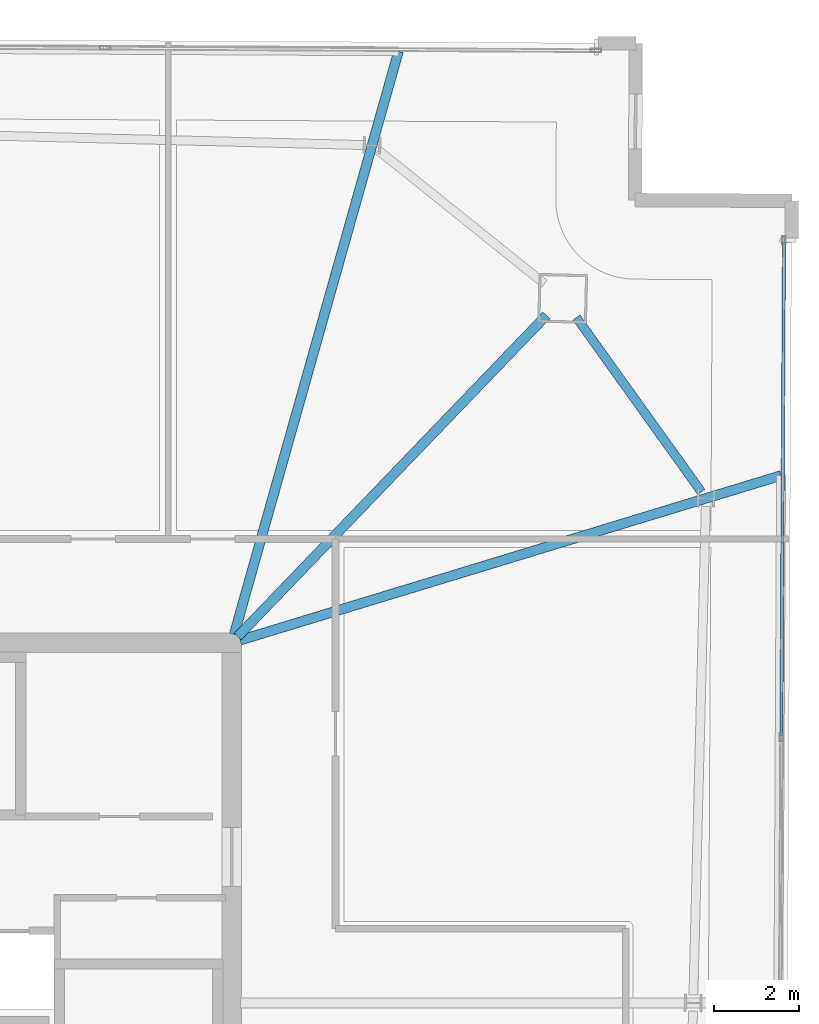
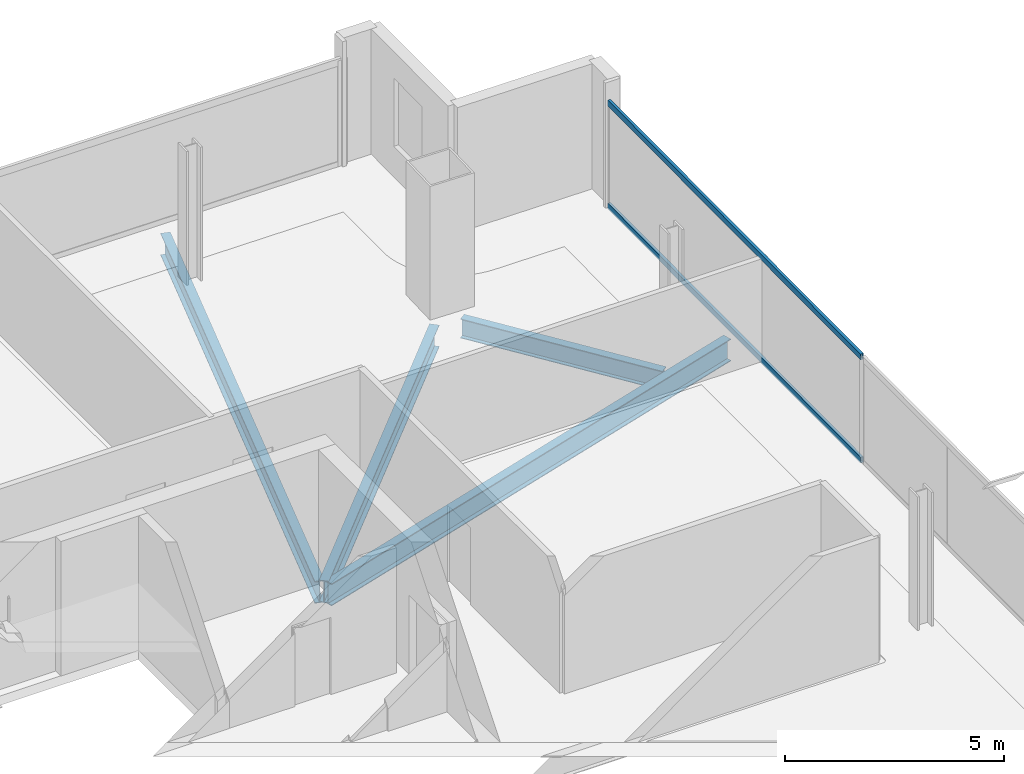
# One storey, part 16 of 24: 4 beams, 2 members, 1 element without a shape of its own.
"""IFC4 building model written with IfcOpenShell, lengths in metres."""

import ifcopenshell
import ifcopenshell.guid

model = None  # the IFC model being written
_history = None  # IfcOwnerHistory: only IFC2X3 demands one
_inside = {}  # id of a spatial element -> (the spatial element, [elements in it])
_under = {}  # id of a project, library or spatial element -> (it, [spatial elements below it])
_declared = {}  # id of a project -> (the project, [libraries it declares])
_typed = {}  # id of a type object -> (the type object, [elements of that type])
_made_of = {}  # id of a material, layer set ... -> (it, [elements and type objects made of it])


def new_model(schema):
    """Start an empty IFC model of exactly this schema.

    Asked for "IFC4X3", IfcOpenShell would pick the latest addendum, in which some entities
    have other attributes; the version numbers below select the first issue.
    IFC2X3 requires an IfcOwnerHistory on every rooted entity: one is made here for all.
    """
    global model, _history
    if schema == "IFC4X3":
        model = ifcopenshell.file(schema_version=(4, 3, 0, 0))
    else:
        model = ifcopenshell.file(schema=schema)
    _inside.clear()
    _under.clear()
    _declared.clear()
    _typed.clear()
    _made_of.clear()
    _history = None
    if model.schema == "IFC2X3":
        org = make("IfcOrganization", Name="unknown")
        user = make(
            "IfcPersonAndOrganization",
            ThePerson=make("IfcPerson", FamilyName="unknown"),
            TheOrganization=org,
        )
        app = make(
            "IfcApplication",
            ApplicationDeveloper=org,
            Version="unknown",
            ApplicationFullName="unknown",
            ApplicationIdentifier="unknown",
        )
        _history = make(
            "IfcOwnerHistory",
            OwningUser=user,
            OwningApplication=app,
            ChangeAction="ADDED",
            CreationDate=0,
        )
    return model


def make(cls, **values):
    """One entity of the class cls with the attributes given. An attribute that is None is left unset."""
    return model.create_entity(
        cls, **{name: value for name, value in values.items() if value is not None}
    )


def rooted(cls, **values):
    """An entity with a GlobalId (a new one), such as an element, a storey or a relation."""
    return make(cls, GlobalId=ifcopenshell.guid.new(), OwnerHistory=_history, **values)


def si_unit(unit_type, name, prefix=None):
    """IfcSIUnit, for example si_unit("LENGTHUNIT", "METRE", prefix="MILLI")."""
    return make("IfcSIUnit", UnitType=unit_type, Prefix=prefix, Name=name)


def assignment(units):
    """IfcUnitAssignment: the units of a project."""
    return None if units is None else make("IfcUnitAssignment", Units=units)


def point(xyz):
    """IfcCartesianPoint."""
    return None if xyz is None else make("IfcCartesianPoint", Coordinates=xyz)


def direction(xyz):
    """IfcDirection."""
    return None if xyz is None else make("IfcDirection", DirectionRatios=xyz)


def frame(location, z_axis=None, x_axis=None):
    """IfcAxis2Placement3D, a coordinate frame: its origin and axes. An axis left out is left unset."""
    return make(
        "IfcAxis2Placement3D",
        Location=point(location),
        Axis=direction(z_axis),
        RefDirection=direction(x_axis),
    )


def frame_2d(location, x_axis=None):
    """IfcAxis2Placement2D, a coordinate frame in the plane: its origin and x axis."""
    return make(
        "IfcAxis2Placement2D", Location=point(location), RefDirection=direction(x_axis)
    )


def origin():
    """The frame at (0, 0, 0) with its axes left unset."""
    return frame((0.0, 0.0, 0.0))


def origin_2d():
    """The frame at (0, 0) in the plane with its x axis left unset."""
    return frame_2d((0.0, 0.0))


def place(relative_to, where):
    """IfcLocalPlacement: puts the frame where relative to a parent placement (None: the world)."""
    return make(
        "IfcLocalPlacement", PlacementRelTo=relative_to, RelativePlacement=where
    )


def context(
    kind, dimensions, precision=None, world=None, true_north=None, identifier=None
):
    """IfcGeometricRepresentationContext, for example the 3D "Model" context."""
    return make(
        "IfcGeometricRepresentationContext",
        ContextIdentifier=identifier,
        ContextType=kind,
        CoordinateSpaceDimension=dimensions,
        Precision=precision,
        WorldCoordinateSystem=world,
        TrueNorth=true_north,
    )


def subcontext(parent, identifier, kind, view, scale=None):
    """IfcGeometricRepresentationSubContext, for example "Body" below "Model"."""
    return make(
        "IfcGeometricRepresentationSubContext",
        ContextIdentifier=identifier,
        ContextType=kind,
        ParentContext=parent,
        TargetScale=scale,
        TargetView=view,
    )


def project(units=None, contexts=None):
    """IfcProject with its units and contexts."""
    return rooted(
        "IfcProject",
        Name="project",
        RepresentationContexts=contexts,
        UnitsInContext=assignment(units),
    )


def spatial(cls, under=None, at=None, **own):
    """A site, building, storey or space (cls), placed at a placement, below another one or the project."""
    s = rooted(cls, ObjectPlacement=at, **own)
    if under is not None:
        _under.setdefault(under.id(), (under, []))[1].append(s)
    return s


def profile(cls, at=None, kind="AREA", **sizes):
    """A parametric profile (cls). Its sizes go by their IFC names, for example OverallWidth=200.0."""
    return make(cls, ProfileType=kind, Position=at, **sizes)


def hollow_rectangle(**sizes):
    """IfcRectangleHollowProfileDef."""
    return profile("IfcRectangleHollowProfileDef", **sizes)


def i_section(**sizes):
    """IfcIShapeProfileDef."""
    return profile("IfcIShapeProfileDef", **sizes)


def extrude(swept, where, along, depth):
    """IfcExtrudedAreaSolid: the profile swept, set in the frame where, extruded along a direction by depth."""
    return make(
        "IfcExtrudedAreaSolid",
        SweptArea=swept,
        Position=where,
        ExtrudedDirection=direction(along),
        Depth=depth,
    )


def shape(context_of_items, identifier, shape_type, items):
    """IfcShapeRepresentation: the items that make up one representation, for example the "Body"."""
    return make(
        "IfcShapeRepresentation",
        ContextOfItems=context_of_items,
        RepresentationIdentifier=identifier,
        RepresentationType=shape_type,
        Items=items,
    )


def material(Name=None, Category=None):
    """IfcMaterial."""
    return make("IfcMaterial", Name=Name, Category=Category)


def material_profile(
    of_material, cross_section, Name=None, Category=None, Priority=None
):
    """IfcMaterialProfile: a cross section and its material."""
    return make(
        "IfcMaterialProfile",
        Name=Name,
        Material=of_material,
        Profile=cross_section,
        Priority=Priority,
        Category=Category,
    )


def profile_set(profiles, Name=None, composite=None):
    """IfcMaterialProfileSet."""
    return make(
        "IfcMaterialProfileSet",
        Name=Name,
        MaterialProfiles=profiles,
        CompositeProfile=composite,
    )


def made_of(thing, what):
    """Note that an element or type object is made of a material, layer set ...; save() writes the relation."""
    if what is not None:
        _made_of.setdefault(what.id(), (what, []))[1].append(thing)
    return thing


def type_object(cls, material=None, **own):
    """A type object (cls), such as IfcWallType, which elements share."""
    return made_of(rooted(cls, **own), material)


def element(
    cls,
    number,
    at=None,
    inside=None,
    cuts=None,
    type_object=None,
    material=None,
    context=None,
    identifier="Body",
    shape_type=None,
    held_by="IfcProductDefinitionShape",
    body=None,
    shapes=None,
    **own,
):
    """One element of the class cls, such as IfcWall. Its Tag is "e" and its number.

    at: its placement. inside: the storey or other place that contains it. cuts: it is an
    opening in that element (IfcRelVoidsElement). A single representation is given by context,
    identifier, shape_type and body (its items); several are given by shapes. held_by: the class
    of the entity that holds the representations. save() writes the other relations.
    """
    e = rooted(cls, Tag="e%d" % number, ObjectPlacement=at, **own)
    if body is not None:
        shapes = [shape(context, identifier, shape_type, body)]
    if shapes is not None:
        e.Representation = make(held_by, Representations=shapes)
    if inside is not None:
        _inside.setdefault(inside.id(), (inside, []))[1].append(e)
    if cuts is not None:
        rooted(
            "IfcRelVoidsElement", RelatingBuildingElement=cuts, RelatedOpeningElement=e
        )
    if type_object is not None:
        _typed.setdefault(type_object.id(), (type_object, []))[1].append(e)
    return made_of(e, material)


def aggregate(whole, parts):
    """IfcRelAggregates: a whole, such as a stair, and the parts it consists of."""
    return rooted("IfcRelAggregates", RelatingObject=whole, RelatedObjects=parts)


def save(model, path):
    """Write the relations noted so far, then the file.

    IfcRelAggregates (storeys below a building ...), IfcRelContainedInSpatialStructure (elements
    in a storey), IfcRelDefinesByType, IfcRelAssociatesMaterial and IfcRelDeclares: one each for
    every whole, place, type object, material and project.
    """
    for whole, parts in _under.values():
        aggregate(whole, parts)
    for where, things in _inside.values():
        rooted(
            "IfcRelContainedInSpatialStructure",
            RelatedElements=things,
            RelatingStructure=where,
        )
    for kind, things in _typed.values():
        rooted("IfcRelDefinesByType", RelatedObjects=things, RelatingType=kind)
    for what, things in _made_of.values():
        rooted("IfcRelAssociatesMaterial", RelatedObjects=things, RelatingMaterial=what)
    for by, libraries in _declared.values():
        rooted("IfcRelDeclares", RelatingContext=by, RelatedDefinitions=libraries)
    model.write(path)


model = new_model("IFC4")

# Units and contexts
model_context = context("Model", 3, precision=1e-05, world=origin(), true_north=direction((0.0, 1.0)))
body_context = subcontext(model_context, "Body", "Model", "MODEL_VIEW")
ifc_project = project(units=[si_unit("LENGTHUNIT", "METRE"), si_unit("AREAUNIT", "SQUARE_METRE"), si_unit("VOLUMEUNIT", "CUBIC_METRE"), si_unit("PLANEANGLEUNIT", "RADIAN"), si_unit("MASSUNIT", "GRAM", prefix="KILO")], contexts=[model_context])

# Site, building, storey
site_placement = place(None, origin())
site = spatial("IfcSite", under=ifc_project, at=site_placement, CompositionType="ELEMENT")
building_placement = place(site_placement, origin())
building = spatial("IfcBuilding", under=site, at=building_placement, Name="Haldenkirk Collegiate Tower", CompositionType="ELEMENT")
storey_placement = place(building_placement, frame((0.0, 0.0, 328.949951171875)))
storey = spatial("IfcBuildingStorey", under=building, at=storey_placement, Name="L83", CompositionType="ELEMENT", Elevation=328.949951171875)

# Beams
ifc_material_1 = material(Name="Steel ASTM A992 Grade 50", Category="steel")
ifc_material_profile_1 = material_profile(ifc_material_1, i_section(OverallWidth=0.22998046875, OverallDepth=0.616943359375, WebThickness=0.01318359375, FlangeThickness=0.022216796875, at=origin_2d()), Name="W24X94")
ifc_profile_set_1 = profile_set([ifc_material_profile_1], Name="Steel ASTM A992 Grade 50")
beam_type_1 = type_object("IfcBeamType", Name="BM-GIRDER-W24X94", PredefinedType="BEAM", material=ifc_profile_set_1)
beam_1_placement = place(storey_placement, frame((52.428955078125, 41.7294921875, -0.568359375), z_axis=(-0.692944915375, -0.720990529935, 0.0), x_axis=(0.720990529935, -0.692944915375, 0.0)))
element("IfcBeam", 1, at=beam_1_placement, inside=storey, type_object=beam_type_1, Name="L83 primary floor girder 02", PredefinedType="BEAM", context=body_context, shape_type="SweptSolid", body=[
    extrude(i_section(OverallWidth=0.22998046875, OverallDepth=0.616943359375, WebThickness=0.01318359375, FlangeThickness=0.022216796875, at=origin_2d()), origin(), (0.0, 0.0, 1.0), 10.515869140625),
])
beam_2_placement = place(storey_placement, frame((57.9677734375, 37.9482421875, -0.568359375), z_axis=(-0.956645084883, -0.291256212929, 0.0), x_axis=(0.291256212929, -0.956645084883, 0.0)))
element("IfcBeam", 2, at=beam_2_placement, inside=storey, type_object=beam_type_1, Name="L83 primary floor girder 07", PredefinedType="BEAM", context=body_context, shape_type="SweptSolid", body=[
    extrude(i_section(OverallWidth=0.22998046875, OverallDepth=0.616943359375, WebThickness=0.01318359375, FlangeThickness=0.022216796875, at=origin_2d()), origin(), (0.0, 0.0, 1.0), 13.3505859375),
])
beam_3_placement = place(storey_placement, frame((48.93701171875, 47.962646484375, -0.568359375), z_axis=(-0.271382724289, -0.962471514881, 0.0), x_axis=(0.962471514881, -0.271382724289, 0.0)))
element("IfcBeam", 3, at=beam_3_placement, inside=storey, type_object=beam_type_1, Name="L83 primary floor girder 08", PredefinedType="BEAM", context=body_context, shape_type="SweptSolid", body=[
    extrude(i_section(OverallWidth=0.22998046875, OverallDepth=0.616943359375, WebThickness=0.01318359375, FlangeThickness=0.022216796875, at=origin_2d()), origin(), (0.0, 0.0, 1.0), 14.302001953125),
])
ifc_material_profile_2 = material_profile(ifc_material_1, i_section(OverallWidth=0.2099609375, OverallDepth=0.537109375, WebThickness=0.010986328125, FlangeThickness=0.017333984375, at=origin_2d()), Name="W21X68")
ifc_profile_set_2 = profile_set([ifc_material_profile_2], Name="Steel ASTM A992 Grade 50")
beam_type_2 = type_object("IfcBeamType", Name="BM-SPANDREL-W21X68", PredefinedType="SPANDREL", material=ifc_profile_set_2)
beam_4_placement = place(storey_placement, frame((56.085693359375, 37.561279296875, -0.528564453125), z_axis=(-0.582300220922, 0.812973832737, 0.0), x_axis=(-0.812973832737, -0.582300220922, 0.0)))
element("IfcBeam", 4, at=beam_4_placement, inside=storey, type_object=beam_type_2, Name="L83 perimeter spandrel beam 04", PredefinedType="SPANDREL", context=body_context, shape_type="SweptSolid", body=[
    extrude(i_section(OverallWidth=0.2099609375, OverallDepth=0.537109375, WebThickness=0.010986328125, FlangeThickness=0.017333984375, at=origin_2d()), origin(), (0.0, 0.0, 1.0), 5.064453125),
])

# Curtain wall, members
ifc_material_2 = material(Name="Anodised architectural bronze aluminium", Category="aluminium")
curtain_wall_type = type_object("IfcCurtainWallType", Name="CW-SYS2-CONCAVE", PredefinedType="USERDEFINED", material=ifc_material_2)
curtain_wall_placement = place(storey_placement, origin())
curtain_wall = element("IfcCurtainWall", 5, at=curtain_wall_placement, inside=storey, type_object=curtain_wall_type, Name="L83 South concave recessed bronze-anodised curtain wall", ObjectType="UNITISED CURTAIN WALL", PredefinedType="USERDEFINED")
ifc_material_profile_3 = material_profile(ifc_material_2, hollow_rectangle(XDim=0.074951171875, YDim=0.159912109375, WallThickness=0.0048828125, at=origin_2d()), Name="CW-TRN-02")
ifc_profile_set_3 = profile_set([ifc_material_profile_3], Name="Anodised architectural bronze aluminium")
member_type = type_object("IfcMemberType", Name="CW-TRN-02", PredefinedType="USERDEFINED", material=ifc_profile_set_3)
member_1_placement = place(storey_placement, frame((58.03662109375, 43.459716796875, 0.03759765625), z_axis=(-0.005237285192, -0.999986285328, 0.0), x_axis=(0.999986285328, -0.005237285192, 0.0)))
member_1 = element("IfcMember", 6, at=member_1_placement, type_object=member_type, Name="CW-02 transom 1.1", ObjectType="TRANSOM", PredefinedType="USERDEFINED", context=body_context, shape_type="SweptSolid", body=[
    extrude(hollow_rectangle(XDim=0.074951171875, YDim=0.159912109375, WallThickness=0.0048828125, at=origin_2d()), origin(), (0.0, 0.0, 1.0), 11.654052734375),
])
member_2_placement = place(storey_placement, frame((58.03662109375, 43.459716796875, 2.91064453125), z_axis=(-0.005237285192, -0.999986285328, 0.0), x_axis=(0.999986285328, -0.005237285192, 0.0)))
member_2 = element("IfcMember", 7, at=member_2_placement, type_object=member_type, Name="CW-02 transom 1.2", ObjectType="TRANSOM", PredefinedType="USERDEFINED", context=body_context, shape_type="SweptSolid", body=[
    extrude(hollow_rectangle(XDim=0.074951171875, YDim=0.159912109375, WallThickness=0.0048828125, at=origin_2d()), origin(), (0.0, 0.0, 1.0), 11.654052734375),
])
aggregate(curtain_wall, [member_1, member_2])

save(model, "model.ifc")
